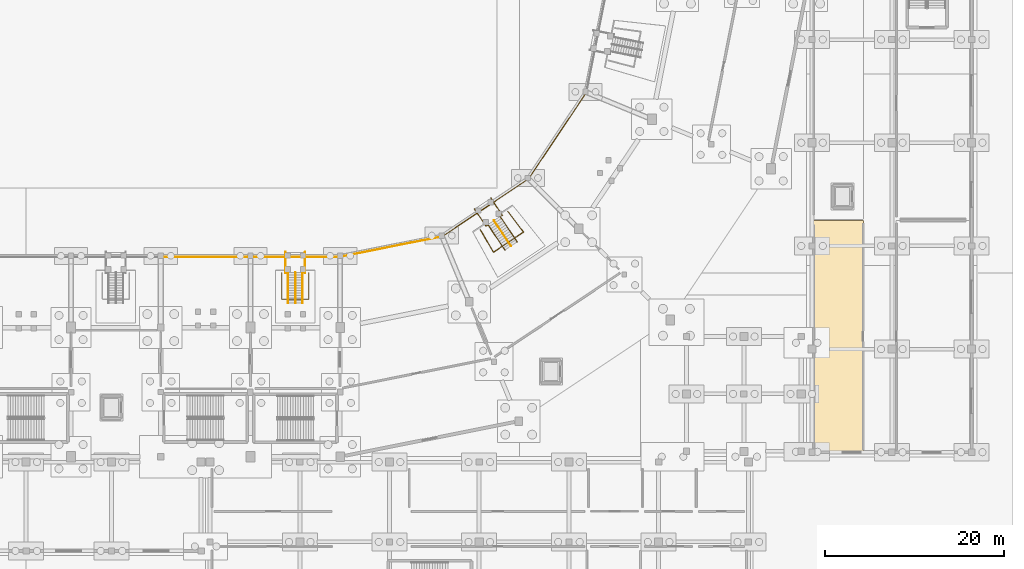
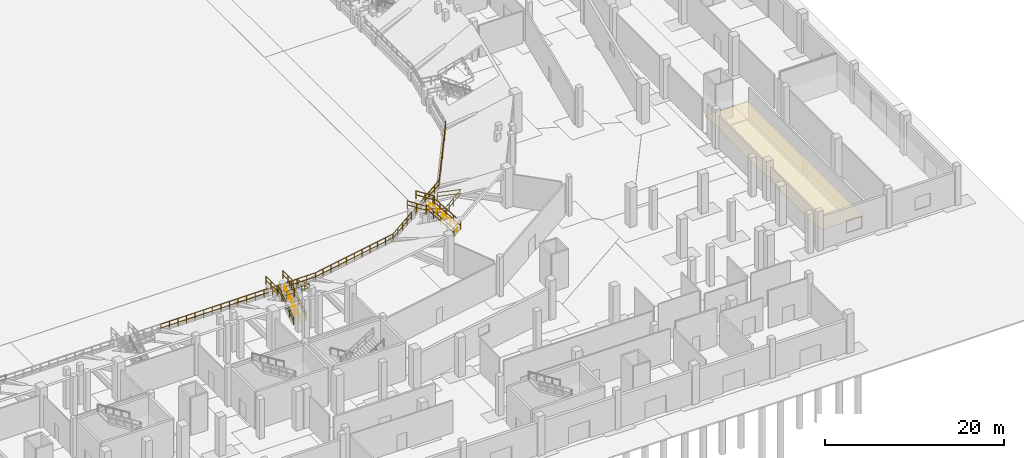
# One storey, part 57 of 68: 13 railings, 1 covering.
"""IFC4 building model written with IfcOpenShell, lengths in metres."""

import ifcopenshell
import ifcopenshell.guid

model = None  # the IFC model being written
_history = None  # IfcOwnerHistory: only IFC2X3 demands one
_inside = {}  # id of a spatial element -> (the spatial element, [elements in it])
_under = {}  # id of a project, library or spatial element -> (it, [spatial elements below it])
_declared = {}  # id of a project -> (the project, [libraries it declares])
_typed = {}  # id of a type object -> (the type object, [elements of that type])
_made_of = {}  # id of a material, layer set ... -> (it, [elements and type objects made of it])


def new_model(schema):
    """Start an empty IFC model of exactly this schema.

    Asked for "IFC4X3", IfcOpenShell would pick the latest addendum, in which some entities
    have other attributes; the version numbers below select the first issue.
    IFC2X3 requires an IfcOwnerHistory on every rooted entity: one is made here for all.
    """
    global model, _history
    if schema == "IFC4X3":
        model = ifcopenshell.file(schema_version=(4, 3, 0, 0))
    else:
        model = ifcopenshell.file(schema=schema)
    _inside.clear()
    _under.clear()
    _declared.clear()
    _typed.clear()
    _made_of.clear()
    _history = None
    if model.schema == "IFC2X3":
        org = make("IfcOrganization", Name="unknown")
        user = make(
            "IfcPersonAndOrganization",
            ThePerson=make("IfcPerson", FamilyName="unknown"),
            TheOrganization=org,
        )
        app = make(
            "IfcApplication",
            ApplicationDeveloper=org,
            Version="unknown",
            ApplicationFullName="unknown",
            ApplicationIdentifier="unknown",
        )
        _history = make(
            "IfcOwnerHistory",
            OwningUser=user,
            OwningApplication=app,
            ChangeAction="ADDED",
            CreationDate=0,
        )
    return model


def make(cls, **values):
    """One entity of the class cls with the attributes given. An attribute that is None is left unset."""
    return model.create_entity(
        cls, **{name: value for name, value in values.items() if value is not None}
    )


def rooted(cls, **values):
    """An entity with a GlobalId (a new one), such as an element, a storey or a relation."""
    return make(cls, GlobalId=ifcopenshell.guid.new(), OwnerHistory=_history, **values)


def si_unit(unit_type, name, prefix=None):
    """IfcSIUnit, for example si_unit("LENGTHUNIT", "METRE", prefix="MILLI")."""
    return make("IfcSIUnit", UnitType=unit_type, Prefix=prefix, Name=name)


def assignment(units):
    """IfcUnitAssignment: the units of a project."""
    return None if units is None else make("IfcUnitAssignment", Units=units)


def point(xyz):
    """IfcCartesianPoint."""
    return None if xyz is None else make("IfcCartesianPoint", Coordinates=xyz)


def direction(xyz):
    """IfcDirection."""
    return None if xyz is None else make("IfcDirection", DirectionRatios=xyz)


def frame(location, z_axis=None, x_axis=None):
    """IfcAxis2Placement3D, a coordinate frame: its origin and axes. An axis left out is left unset."""
    return make(
        "IfcAxis2Placement3D",
        Location=point(location),
        Axis=direction(z_axis),
        RefDirection=direction(x_axis),
    )


def frame_2d(location, x_axis=None):
    """IfcAxis2Placement2D, a coordinate frame in the plane: its origin and x axis."""
    return make(
        "IfcAxis2Placement2D", Location=point(location), RefDirection=direction(x_axis)
    )


def origin():
    """The frame at (0, 0, 0) with its axes left unset."""
    return frame((0.0, 0.0, 0.0))


def origin_2d():
    """The frame at (0, 0) in the plane with its x axis left unset."""
    return frame_2d((0.0, 0.0))


def place(relative_to, where):
    """IfcLocalPlacement: puts the frame where relative to a parent placement (None: the world)."""
    return make(
        "IfcLocalPlacement", PlacementRelTo=relative_to, RelativePlacement=where
    )


def context(
    kind, dimensions, precision=None, world=None, true_north=None, identifier=None
):
    """IfcGeometricRepresentationContext, for example the 3D "Model" context."""
    return make(
        "IfcGeometricRepresentationContext",
        ContextIdentifier=identifier,
        ContextType=kind,
        CoordinateSpaceDimension=dimensions,
        Precision=precision,
        WorldCoordinateSystem=world,
        TrueNorth=true_north,
    )


def subcontext(parent, identifier, kind, view, scale=None):
    """IfcGeometricRepresentationSubContext, for example "Body" below "Model"."""
    return make(
        "IfcGeometricRepresentationSubContext",
        ContextIdentifier=identifier,
        ContextType=kind,
        ParentContext=parent,
        TargetScale=scale,
        TargetView=view,
    )


def project(units=None, contexts=None):
    """IfcProject with its units and contexts."""
    return rooted(
        "IfcProject",
        Name="project",
        RepresentationContexts=contexts,
        UnitsInContext=assignment(units),
    )


def spatial(cls, under=None, at=None, **own):
    """A site, building, storey or space (cls), placed at a placement, below another one or the project."""
    s = rooted(cls, ObjectPlacement=at, **own)
    if under is not None:
        _under.setdefault(under.id(), (under, []))[1].append(s)
    return s


def polyline(points):
    """IfcPolyline through the points."""
    return make("IfcPolyline", Points=[point(p) for p in points])


def profile(cls, at=None, kind="AREA", **sizes):
    """A parametric profile (cls). Its sizes go by their IFC names, for example OverallWidth=200.0."""
    return make(cls, ProfileType=kind, Position=at, **sizes)


def circle(**sizes):
    """IfcCircleProfileDef."""
    return profile("IfcCircleProfileDef", **sizes)


def outline(outer, holes=None, kind="AREA"):
    """IfcArbitraryClosedProfileDef: a profile drawn as a closed curve; with holes, ...WithVoids."""
    if holes is None:
        return make("IfcArbitraryClosedProfileDef", ProfileType=kind, OuterCurve=outer)
    return make(
        "IfcArbitraryProfileDefWithVoids",
        ProfileType=kind,
        OuterCurve=outer,
        InnerCurves=holes,
    )


def extrude(swept, where, along, depth):
    """IfcExtrudedAreaSolid: the profile swept, set in the frame where, extruded along a direction by depth."""
    return make(
        "IfcExtrudedAreaSolid",
        SweptArea=swept,
        Position=where,
        ExtrudedDirection=direction(along),
        Depth=depth,
    )


def shape(context_of_items, identifier, shape_type, items):
    """IfcShapeRepresentation: the items that make up one representation, for example the "Body"."""
    return make(
        "IfcShapeRepresentation",
        ContextOfItems=context_of_items,
        RepresentationIdentifier=identifier,
        RepresentationType=shape_type,
        Items=items,
    )


def material(Name=None, Category=None):
    """IfcMaterial."""
    return make("IfcMaterial", Name=Name, Category=Category)


def layer(
    of_material, thickness, ventilated=None, Name=None, Category=None, Priority=None
):
    """IfcMaterialLayer: one layer of a wall or slab, of a material (None: an air gap)."""
    return make(
        "IfcMaterialLayer",
        Material=of_material,
        LayerThickness=thickness,
        IsVentilated=ventilated,
        Name=Name,
        Category=Category,
        Priority=Priority,
    )


def layer_set(layers, Name=None):
    """IfcMaterialLayerSet."""
    return make("IfcMaterialLayerSet", MaterialLayers=layers, LayerSetName=Name)


def made_of(thing, what):
    """Note that an element or type object is made of a material, layer set ...; save() writes the relation."""
    if what is not None:
        _made_of.setdefault(what.id(), (what, []))[1].append(thing)
    return thing


def type_object(cls, material=None, **own):
    """A type object (cls), such as IfcWallType, which elements share."""
    return made_of(rooted(cls, **own), material)


def element(
    cls,
    number,
    at=None,
    inside=None,
    cuts=None,
    type_object=None,
    material=None,
    context=None,
    identifier="Body",
    shape_type=None,
    held_by="IfcProductDefinitionShape",
    body=None,
    shapes=None,
    **own,
):
    """One element of the class cls, such as IfcWall. Its Tag is "e" and its number.

    at: its placement. inside: the storey or other place that contains it. cuts: it is an
    opening in that element (IfcRelVoidsElement). A single representation is given by context,
    identifier, shape_type and body (its items); several are given by shapes. held_by: the class
    of the entity that holds the representations. save() writes the other relations.
    """
    e = rooted(cls, Tag="e%d" % number, ObjectPlacement=at, **own)
    if body is not None:
        shapes = [shape(context, identifier, shape_type, body)]
    if shapes is not None:
        e.Representation = make(held_by, Representations=shapes)
    if inside is not None:
        _inside.setdefault(inside.id(), (inside, []))[1].append(e)
    if cuts is not None:
        rooted(
            "IfcRelVoidsElement", RelatingBuildingElement=cuts, RelatedOpeningElement=e
        )
    if type_object is not None:
        _typed.setdefault(type_object.id(), (type_object, []))[1].append(e)
    return made_of(e, material)


def aggregate(whole, parts):
    """IfcRelAggregates: a whole, such as a stair, and the parts it consists of."""
    return rooted("IfcRelAggregates", RelatingObject=whole, RelatedObjects=parts)


def save(model, path):
    """Write the relations noted so far, then the file.

    IfcRelAggregates (storeys below a building ...), IfcRelContainedInSpatialStructure (elements
    in a storey), IfcRelDefinesByType, IfcRelAssociatesMaterial and IfcRelDeclares: one each for
    every whole, place, type object, material and project.
    """
    for whole, parts in _under.values():
        aggregate(whole, parts)
    for where, things in _inside.values():
        rooted(
            "IfcRelContainedInSpatialStructure",
            RelatedElements=things,
            RelatingStructure=where,
        )
    for kind, things in _typed.values():
        rooted("IfcRelDefinesByType", RelatedObjects=things, RelatingType=kind)
    for what, things in _made_of.values():
        rooted("IfcRelAssociatesMaterial", RelatedObjects=things, RelatingMaterial=what)
    for by, libraries in _declared.values():
        rooted("IfcRelDeclares", RelatingContext=by, RelatedDefinitions=libraries)
    model.write(path)


model = new_model("IFC4")

# Units and contexts
model_context = context("Model", 3, precision=1e-05, world=origin(), true_north=direction((0.0, 1.0)))
body_context = subcontext(model_context, "Body", "Model", "MODEL_VIEW")
ifc_project = project(units=[si_unit("LENGTHUNIT", "METRE"), si_unit("AREAUNIT", "SQUARE_METRE"), si_unit("VOLUMEUNIT", "CUBIC_METRE"), si_unit("PLANEANGLEUNIT", "RADIAN"), si_unit("MASSUNIT", "GRAM", prefix="KILO")], contexts=[model_context])

# Site, building, storey
site_placement = place(None, origin())
site = spatial("IfcSite", under=ifc_project, at=site_placement, CompositionType="ELEMENT")
building_placement = place(site_placement, origin())
building = spatial("IfcBuilding", under=site, at=building_placement, Name="Candeia Ridge Stadium", CompositionType="ELEMENT")
storey_placement = place(building_placement, origin())
storey = spatial("IfcBuildingStorey", under=building, at=storey_placement, Name="L00", CompositionType="ELEMENT", Elevation=0.0)

# Covering
ifc_material_1 = material(Name="Perforated Acoustic Gypsum", Category="gypsum")
ifc_layer_1 = layer(ifc_material_1, 0.034912109375, Name="Perforated Acoustic Gypsum", Category="gypsum")
ifc_layer_set_1 = layer_set([ifc_layer_1], Name="Perforated Acoustic Gypsum")
covering_type = type_object("IfcCoveringType", Name="Perforated Gypsum Acoustic Ceiling 35", PredefinedType="CEILING", material=ifc_layer_set_1)
covering_placement = place(storey_placement, frame((0.0, 0.0, 2.510009765625)))
element("IfcCovering", 1, at=covering_placement, inside=storey, type_object=covering_type, Name="Acoustic ceiling Home Team Dressing & Hydrotherapy Suite West Bay", PredefinedType="CEILING", context=body_context, shape_type="SweptSolid", body=[
    extrude(outline(polyline([(194.090087890625, 30.510009765625), (194.090087890625, 31.489990234375), (193.77001953125, 31.489990234375), (193.77001953125, 42.110107421875), (193.989990234375, 42.110107421875), (193.989990234375, 42.889892578125), (193.77001953125, 42.889892578125), (193.77001953125, 45.300048828125), (193.77001953125, 45.302978515625), (193.7705078125, 45.305908203125), (193.771240234375, 45.30859375), (193.772216796875, 45.3115234375), (193.7734375, 45.314208984375), (193.775146484375, 45.316650390625), (193.77685546875, 45.319091796875), (193.77880859375, 45.3212890625), (193.781005859375, 45.3232421875), (193.783203125, 45.324951171875), (193.785888671875, 45.326416015625), (193.78857421875, 45.32763671875), (193.791259765625, 45.32861328125), (193.794189453125, 45.329345703125), (193.797119140625, 45.329833984375), (193.800048828125, 45.330078125), (199.300048828125, 45.330078125), (199.302978515625, 45.329833984375), (199.305908203125, 45.329345703125), (199.30859375, 45.32861328125), (199.3115234375, 45.32763671875), (199.314208984375, 45.326416015625), (199.316650390625, 45.324951171875), (199.319091796875, 45.3232421875), (199.3212890625, 45.3212890625), (199.3232421875, 45.319091796875), (199.324951171875, 45.316650390625), (199.326416015625, 45.314208984375), (199.32763671875, 45.3115234375), (199.32861328125, 45.30859375), (199.329345703125, 45.305908203125), (199.329833984375, 45.302978515625), (199.330078125, 45.300048828125), (199.330078125, 19.5), (199.329833984375, 19.4970703125), (199.329345703125, 19.494140625), (199.32861328125, 19.4912109375), (199.32763671875, 19.488525390625), (199.326416015625, 19.48583984375), (199.324951171875, 19.4833984375), (199.3232421875, 19.48095703125), (199.3212890625, 19.478759765625), (199.319091796875, 19.476806640625), (199.316650390625, 19.47509765625), (199.314208984375, 19.473388671875), (199.3115234375, 19.472412109375), (199.30859375, 19.47119140625), (199.305908203125, 19.470703125), (199.302978515625, 19.47021484375), (199.300048828125, 19.469970703125), (193.989990234375, 19.469970703125), (193.989990234375, 19.889892578125), (193.77001953125, 19.889892578125), (193.77001953125, 30.510009765625), (194.090087890625, 30.510009765625)])), origin(), (0.0, 0.0, 1.0), 0.0400390625),
])

# Railings
ifc_material_2 = material(Name="Galvanized Powder-Coated Steel", Category="steel")
ifc_layer_2 = layer(ifc_material_2, 0.074951171875, Name="Galvanized Powder-Coated Steel", Category="steel")
ifc_layer_set_2 = layer_set([ifc_layer_2], Name="Galvanized Powder-Coated Steel")
railing_type_1 = type_object("IfcRailingType", Name="Spectator Bowl Front Guardrail 1120", PredefinedType="GUARDRAIL", material=ifc_layer_set_2)
for number, where, name in (
    (2, (121.0, 41.280029296875, 0.85009765625), "Stand T1 front safety guardrail bay 24"),
    (3, (131.0, 41.280029296875, 0.85009765625), "Stand T1 front safety guardrail bay 25"),
):
    element("IfcRailing", number, at=place(storey_placement, frame(where)), inside=storey, type_object=railing_type_1, Name=name, PredefinedType="GUARDRAIL", context=body_context, shape_type="SweptSolid", body=[
        extrude(circle(Radius=0.02392578125, at=origin_2d()), frame((0.0, 0.0, 1.09619140625), z_axis=(1.0, 0.0, 0.0), x_axis=(0.0, 1.0, 0.0)), (0.0, 0.0, 1.0), 10.0),
        extrude(circle(Radius=0.02392578125, at=origin_2d()), frame((0.0, 0.0, 0.56005859375), z_axis=(1.0, 0.0, 0.0), x_axis=(0.0, 1.0, 0.0)), (0.0, 0.0, 1.0), 10.0),
        extrude(circle(Radius=0.02099609375, at=origin_2d()), origin(), (0.0, 0.0, 1.0), 1.072021484375),
        extrude(circle(Radius=0.02099609375, at=origin_2d()), frame((1.111083984375, 0.0, 0.0)), (0.0, 0.0, 1.0), 1.072021484375),
        extrude(circle(Radius=0.02099609375, at=origin_2d()), frame((2.22216796875, 0.0, 0.0)), (0.0, 0.0, 1.0), 1.072021484375),
        extrude(circle(Radius=0.02099609375, at=origin_2d()), frame((3.333251953125, 0.0, 0.0)), (0.0, 0.0, 1.0), 1.072021484375),
        extrude(circle(Radius=0.02099609375, at=origin_2d()), frame((4.4443359375, 0.0, 0.0)), (0.0, 0.0, 1.0), 1.072021484375),
        extrude(circle(Radius=0.02099609375, at=origin_2d()), frame((5.5556640625, 0.0, 0.0)), (0.0, 0.0, 1.0), 1.072021484375),
        extrude(circle(Radius=0.02099609375, at=origin_2d()), frame((6.666748046875, 0.0, 0.0)), (0.0, 0.0, 1.0), 1.072021484375),
        extrude(circle(Radius=0.02099609375, at=origin_2d()), frame((7.77783203125, 0.0, 0.0)), (0.0, 0.0, 1.0), 1.072021484375),
        extrude(circle(Radius=0.02099609375, at=origin_2d()), frame((8.888916015625, 0.0, 0.0)), (0.0, 0.0, 1.0), 1.072021484375),
        extrude(circle(Radius=0.02099609375, at=origin_2d()), frame((10.0, 0.0, 0.0)), (0.0, 0.0, 1.0), 1.072021484375),
    ])
railing_1_placement = place(storey_placement, frame((141.0, 41.280029296875, 0.85009765625)))
element("IfcRailing", 4, at=railing_1_placement, inside=storey, type_object=railing_type_1, Name="Stand T1 front safety guardrail bay 26", PredefinedType="GUARDRAIL", context=body_context, shape_type="SweptSolid", body=[
    extrude(circle(Radius=0.02392578125, at=origin_2d()), frame((0.0, 0.0, 1.09619140625), z_axis=(0.980786620381, 0.19508358537, 0.0), x_axis=(-0.19508358537, 0.980786620381, 0.0)), (0.0, 0.0, 1.0), 11.59619140625),
    extrude(circle(Radius=0.02392578125, at=origin_2d()), frame((0.0, 0.0, 0.56005859375), z_axis=(0.980786620381, 0.19508358537, 0.0), x_axis=(-0.19508358537, 0.980786620381, 0.0)), (0.0, 0.0, 1.0), 11.59619140625),
    extrude(circle(Radius=0.02099609375, at=origin_2d()), origin(), (0.0, 0.0, 1.0), 1.072021484375),
    extrude(circle(Radius=0.02099609375, at=origin_2d()), frame((1.13720703125, 0.226318359375, 0.0)), (0.0, 0.0, 1.0), 1.072021484375),
    extrude(circle(Radius=0.02099609375, at=origin_2d()), frame((2.274658203125, 0.452392578125, 0.0)), (0.0, 0.0, 1.0), 1.072021484375),
    extrude(circle(Radius=0.02099609375, at=origin_2d()), frame((3.412109375, 0.6787109375, 0.0)), (0.0, 0.0, 1.0), 1.072021484375),
    extrude(circle(Radius=0.02099609375, at=origin_2d()), frame((4.54931640625, 0.90478515625, 0.0)), (0.0, 0.0, 1.0), 1.072021484375),
    extrude(circle(Radius=0.02099609375, at=origin_2d()), frame((5.6865234375, 1.131103515625, 0.0)), (0.0, 0.0, 1.0), 1.072021484375),
    extrude(circle(Radius=0.02099609375, at=origin_2d()), frame((6.823974609375, 1.357421875, 0.0)), (0.0, 0.0, 1.0), 1.072021484375),
    extrude(circle(Radius=0.02099609375, at=origin_2d()), frame((7.961181640625, 1.58349609375, 0.0)), (0.0, 0.0, 1.0), 1.072021484375),
    extrude(circle(Radius=0.02099609375, at=origin_2d()), frame((9.0986328125, 1.809814453125, 0.0)), (0.0, 0.0, 1.0), 1.072021484375),
    extrude(circle(Radius=0.02099609375, at=origin_2d()), frame((10.23583984375, 2.035888671875, 0.0)), (0.0, 0.0, 1.0), 1.072021484375),
    extrude(circle(Radius=0.02099609375, at=origin_2d()), frame((11.373291015625, 2.26220703125, 0.0)), (0.0, 0.0, 1.0), 1.072021484375),
])
railing_2_placement = place(storey_placement, frame((152.373291015625, 43.542236328125, 0.85009765625)))
element("IfcRailing", 5, at=railing_2_placement, inside=storey, type_object=railing_type_1, Name="Stand T1 front safety guardrail bay 27", PredefinedType="GUARDRAIL", context=body_context, shape_type="SweptSolid", body=[
    extrude(circle(Radius=0.02392578125, at=origin_2d()), frame((0.0, 0.0, 1.09619140625), z_axis=(0.831463572254, 0.555579272484, 0.0), x_axis=(-0.555579272484, 0.831463572254, 0.0)), (0.0, 0.0, 1.0), 11.59619140625),
    extrude(circle(Radius=0.02392578125, at=origin_2d()), frame((0.0, 0.0, 0.56005859375), z_axis=(0.831463572254, 0.555579272484, 0.0), x_axis=(-0.555579272484, 0.831463572254, 0.0)), (0.0, 0.0, 1.0), 11.59619140625),
    extrude(circle(Radius=0.02099609375, at=origin_2d()), origin(), (0.0, 0.0, 1.0), 1.072021484375),
    extrude(circle(Radius=0.02099609375, at=origin_2d()), frame((0.964111328125, 0.644287109375, 0.0)), (0.0, 0.0, 1.0), 1.072021484375),
    extrude(circle(Radius=0.02099609375, at=origin_2d()), frame((1.928466796875, 1.28857421875, 0.0)), (0.0, 0.0, 1.0), 1.072021484375),
    extrude(circle(Radius=0.02099609375, at=origin_2d()), frame((2.892578125, 1.932861328125, 0.0)), (0.0, 0.0, 1.0), 1.072021484375),
    extrude(circle(Radius=0.02099609375, at=origin_2d()), frame((3.856689453125, 2.5771484375, 0.0)), (0.0, 0.0, 1.0), 1.072021484375),
    extrude(circle(Radius=0.02099609375, at=origin_2d()), frame((4.82080078125, 3.22119140625, 0.0)), (0.0, 0.0, 1.0), 1.072021484375),
    extrude(circle(Radius=0.02099609375, at=origin_2d()), frame((5.78515625, 3.865478515625, 0.0)), (0.0, 0.0, 1.0), 1.072021484375),
    extrude(circle(Radius=0.02099609375, at=origin_2d()), frame((6.749267578125, 4.509765625, 0.0)), (0.0, 0.0, 1.0), 1.072021484375),
    extrude(circle(Radius=0.02099609375, at=origin_2d()), frame((7.71337890625, 5.154052734375, 0.0)), (0.0, 0.0, 1.0), 1.072021484375),
    extrude(circle(Radius=0.02099609375, at=origin_2d()), frame((8.677734375, 5.79833984375, 0.0)), (0.0, 0.0, 1.0), 1.072021484375),
    extrude(circle(Radius=0.02099609375, at=origin_2d()), frame((9.641845703125, 6.442626953125, 0.0)), (0.0, 0.0, 1.0), 1.072021484375),
])
railing_3_placement = place(storey_placement, frame((162.01513671875, 49.98486328125, 0.85009765625)))
element("IfcRailing", 6, at=railing_3_placement, inside=storey, type_object=railing_type_1, Name="Stand T1 front safety guardrail bay 28", PredefinedType="GUARDRAIL", context=body_context, shape_type="SweptSolid", body=[
    extrude(circle(Radius=0.02392578125, at=origin_2d()), frame((0.0, 0.0, 1.09619140625), z_axis=(0.555579272484, 0.831463572254, 0.0), x_axis=(-0.831463572254, 0.555579272484, 0.0)), (0.0, 0.0, 1.0), 11.59619140625),
    extrude(circle(Radius=0.02392578125, at=origin_2d()), frame((0.0, 0.0, 0.56005859375), z_axis=(0.555579272484, 0.831463572254, 0.0), x_axis=(-0.831463572254, 0.555579272484, 0.0)), (0.0, 0.0, 1.0), 11.59619140625),
    extrude(circle(Radius=0.02099609375, at=origin_2d()), origin(), (0.0, 0.0, 1.0), 1.072021484375),
    extrude(circle(Radius=0.02099609375, at=origin_2d()), frame((0.644287109375, 0.964111328125, 0.0)), (0.0, 0.0, 1.0), 1.072021484375),
    extrude(circle(Radius=0.02099609375, at=origin_2d()), frame((1.28857421875, 1.928466796875, 0.0)), (0.0, 0.0, 1.0), 1.072021484375),
    extrude(circle(Radius=0.02099609375, at=origin_2d()), frame((1.932861328125, 2.892578125, 0.0)), (0.0, 0.0, 1.0), 1.072021484375),
    extrude(circle(Radius=0.02099609375, at=origin_2d()), frame((2.5771484375, 3.856689453125, 0.0)), (0.0, 0.0, 1.0), 1.072021484375),
    extrude(circle(Radius=0.02099609375, at=origin_2d()), frame((3.22119140625, 4.82080078125, 0.0)), (0.0, 0.0, 1.0), 1.072021484375),
    extrude(circle(Radius=0.02099609375, at=origin_2d()), frame((3.865478515625, 5.78515625, 0.0)), (0.0, 0.0, 1.0), 1.072021484375),
    extrude(circle(Radius=0.02099609375, at=origin_2d()), frame((4.509765625, 6.749267578125, 0.0)), (0.0, 0.0, 1.0), 1.072021484375),
    extrude(circle(Radius=0.02099609375, at=origin_2d()), frame((5.154052734375, 7.71337890625, 0.0)), (0.0, 0.0, 1.0), 1.072021484375),
    extrude(circle(Radius=0.02099609375, at=origin_2d()), frame((5.79833984375, 8.677734375, 0.0)), (0.0, 0.0, 1.0), 1.072021484375),
    extrude(circle(Radius=0.02099609375, at=origin_2d()), frame((6.442626953125, 9.641845703125, 0.0)), (0.0, 0.0, 1.0), 1.072021484375),
])
ifc_material_3 = material(Name="Brushed Stainless Steel", Category="steel")
ifc_layer_3 = layer(ifc_material_3, 0.048095703125, Name="Brushed Stainless Steel", Category="steel")
ifc_layer_set_3 = layer_set([ifc_layer_3], Name="Brushed Stainless Steel")
railing_type_2 = type_object("IfcRailingType", Name="Stair Wall & Flight Handrail 900", PredefinedType="HANDRAIL", material=ifc_layer_set_3)
railing_4_placement = place(storey_placement, frame((136.0, 36.10791015625, 0.17236328125)))
element("IfcRailing", 7, at=railing_4_placement, inside=storey, type_object=railing_type_2, Name="Vomitory stair handrail VS13", PredefinedType="HANDRAIL", context=body_context, shape_type="SweptSolid", body=[
    extrude(circle(Radius=0.02392578125, at=origin_2d()), frame((0.0, 0.0, 0.8759765625), z_axis=(0.0, 0.855774125036, 0.517349637014), x_axis=(-1.0, 0.0, 0.0)), (0.0, 0.0, 1.0), 3.99658203125),
    extrude(circle(Radius=0.02099609375, at=origin_2d()), origin(), (0.0, 0.0, 1.0), 0.851806640625),
    extrude(circle(Radius=0.02099609375, at=origin_2d()), frame((0.0, 0.85498046875, 0.516845703125)), (0.0, 0.0, 1.0), 0.851806640625),
    extrude(circle(Radius=0.02099609375, at=origin_2d()), frame((0.0, 1.7099609375, 1.03369140625)), (0.0, 0.0, 1.0), 0.851806640625),
    extrude(circle(Radius=0.02099609375, at=origin_2d()), frame((0.0, 2.565185546875, 1.55078125)), (0.0, 0.0, 1.0), 0.851806640625),
    extrude(circle(Radius=0.02099609375, at=origin_2d()), frame((0.0, 3.420166015625, 2.067626953125)), (0.0, 0.0, 1.0), 0.851806640625),
])
railing_5_placement = place(storey_placement, frame((160.049072265625, 42.4912109375, 0.17236328125)))
element("IfcRailing", 8, at=railing_5_placement, inside=storey, type_object=railing_type_2, Name="Vomitory stair handrail VS14", PredefinedType="HANDRAIL", context=body_context, shape_type="SweptSolid", body=[
    extrude(circle(Radius=0.02392578125, at=origin_2d()), frame((0.0, 0.0, 0.8759765625), z_axis=(-0.475465276115, 0.71151793279, 0.517373175307), x_axis=(-0.831445756164, -0.555605934595, 0.0)), (0.0, 0.0, 1.0), 3.996337890625),
    extrude(circle(Radius=0.02099609375, at=origin_2d()), origin(), (0.0, 0.0, 1.0), 0.851806640625),
    extrude(circle(Radius=0.02099609375, at=origin_2d()), frame((-0.47509765625, 0.7109375, 0.516845703125)), (0.0, 0.0, 1.0), 0.851806640625),
    extrude(circle(Radius=0.02099609375, at=origin_2d()), frame((-0.9501953125, 1.421875, 1.03369140625)), (0.0, 0.0, 1.0), 0.851806640625),
    extrude(circle(Radius=0.02099609375, at=origin_2d()), frame((-1.425048828125, 2.132568359375, 1.55078125)), (0.0, 0.0, 1.0), 0.851806640625),
    extrude(circle(Radius=0.02099609375, at=origin_2d()), frame((-1.900146484375, 2.843505859375, 2.067626953125)), (0.0, 0.0, 1.0), 0.851806640625),
])
ifc_layer_4 = layer(ifc_material_2, 0.070068359375, Name="Galvanized Powder-Coated Steel", Category="steel")
ifc_layer_set_4 = layer_set([ifc_layer_4], Name="Galvanized Powder-Coated Steel")
railing_type_3 = type_object("IfcRailingType", Name="Vomitory Portal Guardrail 1100", PredefinedType="GUARDRAIL", material=ifc_layer_set_4)
railing_6_placement = place(storey_placement, frame((134.5, 39.528076171875, 2.239990234375)))
element("IfcRailing", 9, at=railing_6_placement, inside=storey, type_object=railing_type_3, Name="Vomitory portal guardrail VS13", PredefinedType="GUARDRAIL", context=body_context, shape_type="SweptSolid", body=[
    extrude(circle(Radius=0.02392578125, at=origin_2d()), frame((0.0, 0.0, 1.076171875), z_axis=(0.0, -0.92538053309, 0.379039402937), x_axis=(1.0, 0.0, 0.0)), (0.0, 0.0, 1.0), 3.203125),
    extrude(circle(Radius=0.02392578125, at=origin_2d()), frame((0.0, 0.0, 0.550048828125), z_axis=(0.0, -0.92538053309, 0.379039402937), x_axis=(1.0, 0.0, 0.0)), (0.0, 0.0, 1.0), 3.203125),
    extrude(circle(Radius=0.02392578125, at=origin_2d()), frame((0.0, -2.964111328125, 2.2900390625), z_axis=(1.0, 0.0, 0.0), x_axis=(0.0, 1.0, 0.0)), (0.0, 0.0, 1.0), 3.0),
    extrude(circle(Radius=0.02392578125, at=origin_2d()), frame((0.0, -2.964111328125, 1.76416015625), z_axis=(1.0, 0.0, 0.0), x_axis=(0.0, 1.0, 0.0)), (0.0, 0.0, 1.0), 3.0),
    extrude(circle(Radius=0.02392578125, at=origin_2d()), frame((3.0, -2.964111328125, 2.2900390625), z_axis=(0.0, 0.92538053309, -0.379039402937), x_axis=(-1.0, 0.0, 0.0)), (0.0, 0.0, 1.0), 3.203125),
    extrude(circle(Radius=0.02392578125, at=origin_2d()), frame((3.0, -2.964111328125, 1.76416015625), z_axis=(0.0, 0.92538053309, -0.379039402937), x_axis=(-1.0, 0.0, 0.0)), (0.0, 0.0, 1.0), 3.203125),
    extrude(circle(Radius=0.02099609375, at=origin_2d()), origin(), (0.0, 0.0, 1.0), 1.052001953125),
    extrude(circle(Radius=0.02099609375, at=origin_2d()), frame((0.0, -0.988037109375, 0.40478515625)), (0.0, 0.0, 1.0), 1.052001953125),
    extrude(circle(Radius=0.02099609375, at=origin_2d()), frame((0.0, -1.97607421875, 0.809326171875)), (0.0, 0.0, 1.0), 1.052001953125),
    extrude(circle(Radius=0.02099609375, at=origin_2d()), frame((0.0, -2.964111328125, 1.214111328125)), (0.0, 0.0, 1.0), 1.052001953125),
    extrude(circle(Radius=0.02099609375, at=origin_2d()), frame((1.0, -2.964111328125, 1.214111328125)), (0.0, 0.0, 1.0), 1.052001953125),
    extrude(circle(Radius=0.02099609375, at=origin_2d()), frame((2.0, -2.964111328125, 1.214111328125)), (0.0, 0.0, 1.0), 1.052001953125),
    extrude(circle(Radius=0.02099609375, at=origin_2d()), frame((3.0, -2.964111328125, 1.214111328125)), (0.0, 0.0, 1.0), 1.052001953125),
    extrude(circle(Radius=0.02099609375, at=origin_2d()), frame((3.0, -1.97607421875, 0.809326171875)), (0.0, 0.0, 1.0), 1.052001953125),
    extrude(circle(Radius=0.02099609375, at=origin_2d()), frame((3.0, -0.988037109375, 0.40478515625)), (0.0, 0.0, 1.0), 1.052001953125),
    extrude(circle(Radius=0.02099609375, at=origin_2d()), frame((3.0, 0.0, 0.0)), (0.0, 0.0, 1.0), 1.052001953125),
])
railing_7_placement = place(storey_placement, frame((135.179931640625, 36.10791015625, 0.0)))
element("IfcRailing", 10, at=railing_7_placement, inside=storey, type_object=railing_type_3, Name="Vomitory stair & landing side guardrail VS13-L", PredefinedType="GUARDRAIL", context=body_context, shape_type="SweptSolid", body=[
    extrude(circle(Radius=0.02392578125, at=origin_2d()), frame((0.0, 0.0, 1.076171875), z_axis=(0.0, 0.836551734384, 0.547887940822), x_axis=(-1.0, 0.0, 0.0)), (0.0, 0.0, 1.0), 4.08837890625),
    extrude(circle(Radius=0.02392578125, at=origin_2d()), frame((0.0, 0.0, 0.550048828125), z_axis=(0.0, 0.836551734384, 0.547887940822), x_axis=(-1.0, 0.0, 0.0)), (0.0, 0.0, 1.0), 4.08837890625),
    extrude(circle(Radius=0.02392578125, at=origin_2d()), frame((0.0, 3.420166015625, 3.31591796875), z_axis=(-0.989932225045, -0.141542183877, 0.0), x_axis=(0.141542183877, -0.989932225045, 0.0)), (0.0, 0.0, 1.0), 0.282958984375),
    extrude(circle(Radius=0.02392578125, at=origin_2d()), frame((0.0, 3.420166015625, 2.7900390625), z_axis=(-0.989932225045, -0.141542183877, 0.0), x_axis=(0.141542183877, -0.989932225045, 0.0)), (0.0, 0.0, 1.0), 0.282958984375),
    extrude(circle(Radius=0.02392578125, at=origin_2d()), frame((-0.280029296875, 3.380126953125, 3.31591796875), z_axis=(0.0, 1.0, 0.0), x_axis=(-1.0, 0.0, 0.0)), (0.0, 0.0, 1.0), 2.320068359375),
    extrude(circle(Radius=0.02392578125, at=origin_2d()), frame((-0.280029296875, 3.380126953125, 2.7900390625), z_axis=(0.0, 1.0, 0.0), x_axis=(-1.0, 0.0, 0.0)), (0.0, 0.0, 1.0), 2.320068359375),
    extrude(circle(Radius=0.02099609375, at=origin_2d()), origin(), (0.0, 0.0, 1.0), 1.052001953125),
    extrude(circle(Radius=0.02099609375, at=origin_2d()), frame((0.0, 0.85498046875, 0.56005859375)), (0.0, 0.0, 1.0), 1.052001953125),
    extrude(circle(Radius=0.02099609375, at=origin_2d()), frame((0.0, 1.7099609375, 1.1201171875)), (0.0, 0.0, 1.0), 1.052001953125),
    extrude(circle(Radius=0.02099609375, at=origin_2d()), frame((0.0, 2.565185546875, 1.679931640625)), (0.0, 0.0, 1.0), 1.052001953125),
    extrude(circle(Radius=0.02099609375, at=origin_2d()), frame((0.0, 3.420166015625, 2.239990234375)), (0.0, 0.0, 1.0), 1.052001953125),
    extrude(circle(Radius=0.02099609375, at=origin_2d()), frame((-0.280029296875, 3.380126953125, 2.239990234375)), (0.0, 0.0, 1.0), 1.052001953125),
    extrude(circle(Radius=0.02099609375, at=origin_2d()), frame((-0.280029296875, 4.5400390625, 2.239990234375)), (0.0, 0.0, 1.0), 1.052001953125),
    extrude(circle(Radius=0.02099609375, at=origin_2d()), frame((-0.280029296875, 5.7001953125, 2.239990234375)), (0.0, 0.0, 1.0), 1.052001953125),
])
railing_8_placement = place(storey_placement, frame((136.820068359375, 36.10791015625, 0.0)))
element("IfcRailing", 11, at=railing_8_placement, inside=storey, type_object=railing_type_3, Name="Vomitory stair & landing side guardrail VS13-R", PredefinedType="GUARDRAIL", context=body_context, shape_type="SweptSolid", body=[
    extrude(circle(Radius=0.02392578125, at=origin_2d()), frame((0.0, 0.0, 1.076171875), z_axis=(0.0, 0.836551734384, 0.547887940822), x_axis=(-1.0, 0.0, 0.0)), (0.0, 0.0, 1.0), 4.08837890625),
    extrude(circle(Radius=0.02392578125, at=origin_2d()), frame((0.0, 0.0, 0.550048828125), z_axis=(0.0, 0.836551734384, 0.547887940822), x_axis=(-1.0, 0.0, 0.0)), (0.0, 0.0, 1.0), 4.08837890625),
    extrude(circle(Radius=0.02392578125, at=origin_2d()), frame((0.0, 3.420166015625, 3.31591796875), z_axis=(0.989932225045, -0.141542183877, 0.0), x_axis=(0.141542183877, 0.989932225045, 0.0)), (0.0, 0.0, 1.0), 0.282958984375),
    extrude(circle(Radius=0.02392578125, at=origin_2d()), frame((0.0, 3.420166015625, 2.7900390625), z_axis=(0.989932225045, -0.141542183877, 0.0), x_axis=(0.141542183877, 0.989932225045, 0.0)), (0.0, 0.0, 1.0), 0.282958984375),
    extrude(circle(Radius=0.02392578125, at=origin_2d()), frame((0.280029296875, 3.380126953125, 3.31591796875), z_axis=(0.0, 1.0, 0.0), x_axis=(-1.0, 0.0, 0.0)), (0.0, 0.0, 1.0), 2.320068359375),
    extrude(circle(Radius=0.02392578125, at=origin_2d()), frame((0.280029296875, 3.380126953125, 2.7900390625), z_axis=(0.0, 1.0, 0.0), x_axis=(-1.0, 0.0, 0.0)), (0.0, 0.0, 1.0), 2.320068359375),
    extrude(circle(Radius=0.02099609375, at=origin_2d()), origin(), (0.0, 0.0, 1.0), 1.052001953125),
    extrude(circle(Radius=0.02099609375, at=origin_2d()), frame((0.0, 0.85498046875, 0.56005859375)), (0.0, 0.0, 1.0), 1.052001953125),
    extrude(circle(Radius=0.02099609375, at=origin_2d()), frame((0.0, 1.7099609375, 1.1201171875)), (0.0, 0.0, 1.0), 1.052001953125),
    extrude(circle(Radius=0.02099609375, at=origin_2d()), frame((0.0, 2.565185546875, 1.679931640625)), (0.0, 0.0, 1.0), 1.052001953125),
    extrude(circle(Radius=0.02099609375, at=origin_2d()), frame((0.0, 3.420166015625, 2.239990234375)), (0.0, 0.0, 1.0), 1.052001953125),
    extrude(circle(Radius=0.02099609375, at=origin_2d()), frame((0.280029296875, 3.380126953125, 2.239990234375)), (0.0, 0.0, 1.0), 1.052001953125),
    extrude(circle(Radius=0.02099609375, at=origin_2d()), frame((0.280029296875, 4.5400390625, 2.239990234375)), (0.0, 0.0, 1.0), 1.052001953125),
    extrude(circle(Radius=0.02099609375, at=origin_2d()), frame((0.280029296875, 5.7001953125, 2.239990234375)), (0.0, 0.0, 1.0), 1.052001953125),
])
railing_9_placement = place(storey_placement, frame((156.617431640625, 44.3115234375, 2.239990234375)))
element("IfcRailing", 12, at=railing_9_placement, inside=storey, type_object=railing_type_3, Name="Vomitory portal guardrail VS14", PredefinedType="GUARDRAIL", context=body_context, shape_type="SweptSolid", body=[
    extrude(circle(Radius=0.02392578125, at=origin_2d()), frame((0.0, 0.0, 1.076171875), z_axis=(0.466142280989, -0.796635920117, 0.384815000558), x_axis=(0.863100039607, 0.505032990636, 0.0)), (0.0, 0.0, 1.0), 3.155029296875),
    extrude(circle(Radius=0.02392578125, at=origin_2d()), frame((0.0, 0.0, 0.550048828125), z_axis=(0.466142280989, -0.796635920117, 0.384815000558), x_axis=(0.863100039607, 0.505032990636, 0.0)), (0.0, 0.0, 1.0), 3.155029296875),
    extrude(circle(Radius=0.02392578125, at=origin_2d()), frame((1.470703125, -2.513427734375, 2.2900390625), z_axis=(0.831490773536, 0.55553856169, 0.0), x_axis=(-0.55553856169, 0.831490773536, 0.0)), (0.0, 0.0, 1.0), 4.03076171875),
    extrude(circle(Radius=0.02392578125, at=origin_2d()), frame((1.470703125, -2.513427734375, 1.76416015625), z_axis=(0.831490773536, 0.55553856169, 0.0), x_axis=(-0.55553856169, 0.831490773536, 0.0)), (0.0, 0.0, 1.0), 4.03076171875),
    extrude(circle(Radius=0.02392578125, at=origin_2d()), frame((4.822265625, -0.274169921875, 2.2900390625), z_axis=(-0.557581629409, 0.735549676542, -0.384797868866), x_axis=(-0.796911143855, -0.604096539304, 0.0)), (0.0, 0.0, 1.0), 3.1552734375),
    extrude(circle(Radius=0.02392578125, at=origin_2d()), frame((4.822265625, -0.274169921875, 1.76416015625), z_axis=(-0.557581629409, 0.735549676542, -0.384797868866), x_axis=(-0.796911143855, -0.604096539304, 0.0)), (0.0, 0.0, 1.0), 3.1552734375),
    extrude(circle(Radius=0.02099609375, at=origin_2d()), origin(), (0.0, 0.0, 1.0), 1.052001953125),
    extrude(circle(Radius=0.02099609375, at=origin_2d()), frame((0.490234375, -0.837890625, 0.40478515625)), (0.0, 0.0, 1.0), 1.052001953125),
    extrude(circle(Radius=0.02099609375, at=origin_2d()), frame((0.98046875, -1.675537109375, 0.809326171875)), (0.0, 0.0, 1.0), 1.052001953125),
    extrude(circle(Radius=0.02099609375, at=origin_2d()), frame((1.470703125, -2.513427734375, 1.214111328125)), (0.0, 0.0, 1.0), 1.052001953125),
    extrude(circle(Radius=0.02099609375, at=origin_2d()), frame((2.30859375, -1.95361328125, 1.214111328125)), (0.0, 0.0, 1.0), 1.052001953125),
    extrude(circle(Radius=0.02099609375, at=origin_2d()), frame((3.146484375, -1.393798828125, 1.214111328125)), (0.0, 0.0, 1.0), 1.052001953125),
    extrude(circle(Radius=0.02099609375, at=origin_2d()), frame((3.984375, -0.833984375, 1.214111328125)), (0.0, 0.0, 1.0), 1.052001953125),
    extrude(circle(Radius=0.02099609375, at=origin_2d()), frame((4.822265625, -0.274169921875, 1.214111328125)), (0.0, 0.0, 1.0), 1.052001953125),
    extrude(circle(Radius=0.02099609375, at=origin_2d()), frame((4.23583984375, 0.49951171875, 0.809326171875)), (0.0, 0.0, 1.0), 1.052001953125),
    extrude(circle(Radius=0.02099609375, at=origin_2d()), frame((3.6494140625, 1.27294921875, 0.40478515625)), (0.0, 0.0, 1.0), 1.052001953125),
    extrude(circle(Radius=0.02099609375, at=origin_2d()), frame((3.06298828125, 2.046630859375, 0.0)), (0.0, 0.0, 1.0), 1.052001953125),
])
railing_10_placement = place(storey_placement, frame((159.3671875, 42.03564453125, 0.0)))
element("IfcRailing", 13, at=railing_10_placement, inside=storey, type_object=railing_type_3, Name="Vomitory stair & landing side guardrail VS14-L", PredefinedType="GUARDRAIL", context=body_context, shape_type="SweptSolid", body=[
    extrude(circle(Radius=0.02392578125, at=origin_2d()), frame((0.0, 0.0, 1.076171875), z_axis=(-0.464784440041, 0.695534417725, 0.547911761194), x_axis=(-0.831445756164, -0.555605934595, 0.0)), (0.0, 0.0, 1.0), 4.088134765625),
    extrude(circle(Radius=0.02392578125, at=origin_2d()), frame((0.0, 0.0, 0.550048828125), z_axis=(-0.464784440041, 0.695534417725, 0.547911761194), x_axis=(-0.831445756164, -0.555605934595, 0.0)), (0.0, 0.0, 1.0), 4.088134765625),
    extrude(circle(Radius=0.02392578125, at=origin_2d()), frame((-1.900146484375, 2.843505859375, 3.31591796875), z_axis=(-0.744495422298, -0.667627565471, 0.0), x_axis=(0.667627565471, -0.744495422298, 0.0)), (0.0, 0.0, 1.0), 0.28271484375),
    extrude(circle(Radius=0.02392578125, at=origin_2d()), frame((-1.900146484375, 2.843505859375, 2.7900390625), z_axis=(-0.744495422298, -0.667627565471, 0.0), x_axis=(0.667627565471, -0.744495422298, 0.0)), (0.0, 0.0, 1.0), 0.28271484375),
    extrude(circle(Radius=0.02392578125, at=origin_2d()), frame((-2.110595703125, 2.65478515625, 3.31591796875), z_axis=(-0.55562265494, 0.831434582705, 0.0), x_axis=(-0.831434582705, -0.55562265494, 0.0)), (0.0, 0.0, 1.0), 2.320068359375),
    extrude(circle(Radius=0.02392578125, at=origin_2d()), frame((-2.110595703125, 2.65478515625, 2.7900390625), z_axis=(-0.55562265494, 0.831434582705, 0.0), x_axis=(-0.831434582705, -0.55562265494, 0.0)), (0.0, 0.0, 1.0), 2.320068359375),
    extrude(circle(Radius=0.02099609375, at=origin_2d()), origin(), (0.0, 0.0, 1.0), 1.052001953125),
    extrude(circle(Radius=0.02099609375, at=origin_2d()), frame((-0.47509765625, 0.7109375, 0.56005859375)), (0.0, 0.0, 1.0), 1.052001953125),
    extrude(circle(Radius=0.02099609375, at=origin_2d()), frame((-0.9501953125, 1.421875, 1.1201171875)), (0.0, 0.0, 1.0), 1.052001953125),
    extrude(circle(Radius=0.02099609375, at=origin_2d()), frame((-1.425048828125, 2.132568359375, 1.679931640625)), (0.0, 0.0, 1.0), 1.052001953125),
    extrude(circle(Radius=0.02099609375, at=origin_2d()), frame((-1.900146484375, 2.843505859375, 2.239990234375)), (0.0, 0.0, 1.0), 1.052001953125),
    extrude(circle(Radius=0.02099609375, at=origin_2d()), frame((-2.110595703125, 2.65478515625, 2.239990234375)), (0.0, 0.0, 1.0), 1.052001953125),
    extrude(circle(Radius=0.02099609375, at=origin_2d()), frame((-2.755126953125, 3.619140625, 2.239990234375)), (0.0, 0.0, 1.0), 1.052001953125),
    extrude(circle(Radius=0.02099609375, at=origin_2d()), frame((-3.399658203125, 4.583740234375, 2.239990234375)), (0.0, 0.0, 1.0), 1.052001953125),
])
railing_11_placement = place(storey_placement, frame((160.730712890625, 42.94677734375, 0.0)))
element("IfcRailing", 14, at=railing_11_placement, inside=storey, type_object=railing_type_3, Name="Vomitory stair & landing side guardrail VS14-R", PredefinedType="GUARDRAIL", context=body_context, shape_type="SweptSolid", body=[
    extrude(circle(Radius=0.02392578125, at=origin_2d()), frame((0.0, 0.0, 1.076171875), z_axis=(-0.464737620723, 0.695553722509, 0.547926968663), x_axis=(-0.831478733729, -0.555556581598, 0.0)), (0.0, 0.0, 1.0), 4.088134765625),
    extrude(circle(Radius=0.02392578125, at=origin_2d()), frame((0.0, 0.0, 0.550048828125), z_axis=(-0.464737620723, 0.695553722509, 0.547926968663), x_axis=(-0.831478733729, -0.555556581598, 0.0)), (0.0, 0.0, 1.0), 4.088134765625),
    extrude(circle(Radius=0.02392578125, at=origin_2d()), frame((-1.89990234375, 2.843505859375, 3.31591796875), z_axis=(0.901563480577, 0.432646842691, 0.0), x_axis=(-0.432646842691, 0.901563480577, 0.0)), (0.0, 0.0, 1.0), 0.28271484375),
    extrude(circle(Radius=0.02392578125, at=origin_2d()), frame((-1.89990234375, 2.843505859375, 2.7900390625), z_axis=(0.901563480577, 0.432646842691, 0.0), x_axis=(-0.432646842691, 0.901563480577, 0.0)), (0.0, 0.0, 1.0), 0.28271484375),
    extrude(circle(Radius=0.02392578125, at=origin_2d()), frame((-1.64501953125, 2.9658203125, 3.31591796875), z_axis=(-0.555501294523, 0.8315156714, 0.0), x_axis=(-0.8315156714, -0.555501294523, 0.0)), (0.0, 0.0, 1.0), 2.320068359375),
    extrude(circle(Radius=0.02392578125, at=origin_2d()), frame((-1.64501953125, 2.9658203125, 2.7900390625), z_axis=(-0.555501294523, 0.8315156714, 0.0), x_axis=(-0.8315156714, -0.555501294523, 0.0)), (0.0, 0.0, 1.0), 2.320068359375),
    extrude(circle(Radius=0.02099609375, at=origin_2d()), origin(), (0.0, 0.0, 1.0), 1.052001953125),
    extrude(circle(Radius=0.02099609375, at=origin_2d()), frame((-0.47509765625, 0.7109375, 0.56005859375)), (0.0, 0.0, 1.0), 1.052001953125),
    extrude(circle(Radius=0.02099609375, at=origin_2d()), frame((-0.949951171875, 1.421875, 1.1201171875)), (0.0, 0.0, 1.0), 1.052001953125),
    extrude(circle(Radius=0.02099609375, at=origin_2d()), frame((-1.4248046875, 2.132568359375, 1.679931640625)), (0.0, 0.0, 1.0), 1.052001953125),
    extrude(circle(Radius=0.02099609375, at=origin_2d()), frame((-1.89990234375, 2.843505859375, 2.239990234375)), (0.0, 0.0, 1.0), 1.052001953125),
    extrude(circle(Radius=0.02099609375, at=origin_2d()), frame((-1.64501953125, 2.9658203125, 2.239990234375)), (0.0, 0.0, 1.0), 1.052001953125),
    extrude(circle(Radius=0.02099609375, at=origin_2d()), frame((-2.28955078125, 3.930419921875, 2.239990234375)), (0.0, 0.0, 1.0), 1.052001953125),
    extrude(circle(Radius=0.02099609375, at=origin_2d()), frame((-2.933837890625, 4.89501953125, 2.239990234375)), (0.0, 0.0, 1.0), 1.052001953125),
])

save(model, "model.ifc")
